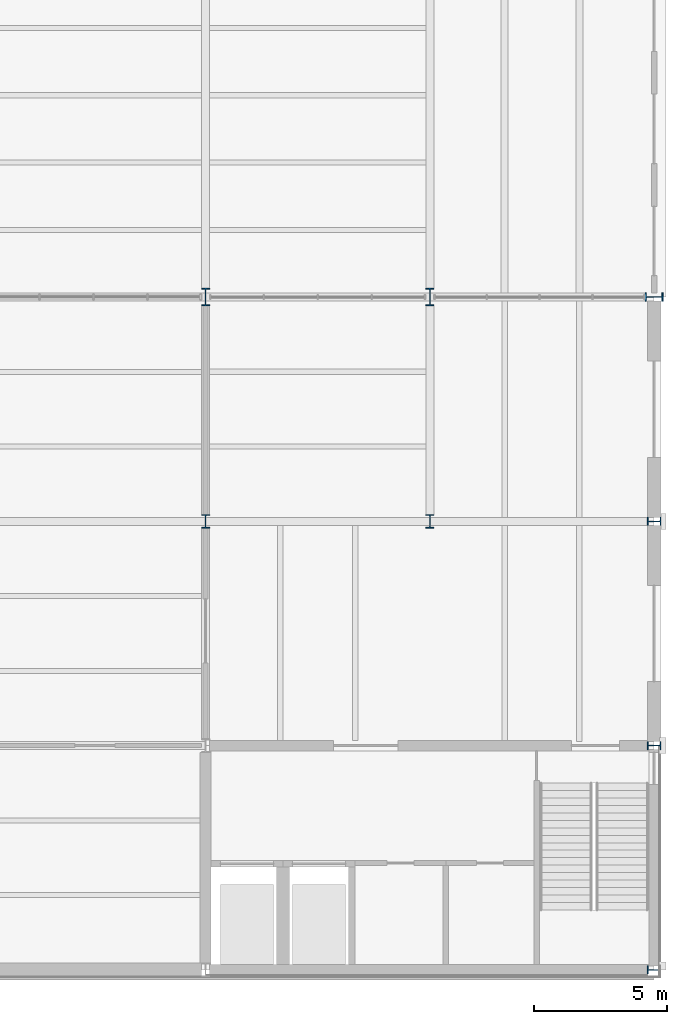
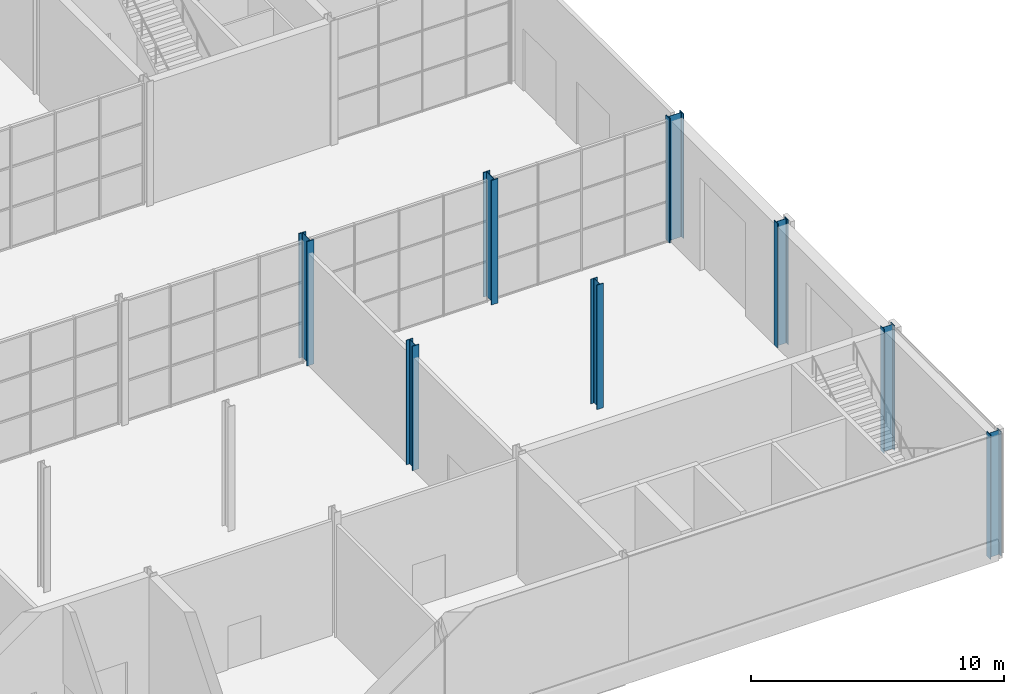
# One storey, part 6 of 55: 8 columns.
"""IFC4 building model written with IfcOpenShell, lengths in metres."""

from ifc_helpers import new_model, si_unit, direction, frame, origin, origin_2d, place, context, subcontext, project, spatial, i_section, extrude, material, material_profile, profile_set, type_object, element, save


model = new_model("IFC4")

# Units and contexts
model_context = context("Model", 3, precision=1e-05, world=origin(), true_north=direction((0.0, 1.0)))
body_context = subcontext(model_context, "Body", "Model", "MODEL_VIEW")
ifc_project = project(units=[si_unit("LENGTHUNIT", "METRE"), si_unit("AREAUNIT", "SQUARE_METRE"), si_unit("VOLUMEUNIT", "CUBIC_METRE"), si_unit("PLANEANGLEUNIT", "RADIAN"), si_unit("MASSUNIT", "GRAM", prefix="KILO")], contexts=[model_context])

# Site, building, storey
site_placement = place(None, origin())
site = spatial("IfcSite", under=ifc_project, at=site_placement, CompositionType="ELEMENT")
building_placement = place(site_placement, origin())
building = spatial("IfcBuilding", under=site, at=building_placement, Name="Galleria Vessillo Department Store", CompositionType="ELEMENT")
storey_placement = place(building_placement, origin())
storey = spatial("IfcBuildingStorey", under=building, at=storey_placement, Name="L00", CompositionType="ELEMENT", Elevation=0.0)

# Columns
ifc_material_1 = material(Name="Steel S355 J2", Category="steel")
ifc_material_profile_1 = material_profile(ifc_material_1, i_section(OverallWidth=0.300048828125, OverallDepth=0.5, WebThickness=0.014404296875, FlangeThickness=0.028076171875, FilletRadius=0.027099609375, at=origin_2d()), Name="HEB 500")
ifc_profile_set_1 = profile_set([ifc_material_profile_1], Name="Steel S355 J2")
column_type_1 = type_object("IfcColumnType", Name="Steel column HEB 500 CP1", PredefinedType="COLUMN", material=ifc_profile_set_1)
for number, where, z_axis, x_axis, name in (
    (1, (100.800048828125, 16.800048828125, 0.0), (0.0, 0.0, 1.0), (1.0, 0.0, 0.0), "S-COL-L00-13-C"),
    (2, (109.199951171875, 16.800048828125, 0.0), (0.0, 0.0, 1.0), (1.0, 0.0, 0.0), "S-COL-L00-14-C"),
    (3, (117.60009765625, 0.0, 0.0), (0.0, 0.0, 1.0), (0.0, 1.0, 0.0), "S-COL-L00-15-A"),
    (4, (117.60009765625, 8.39990234375, 0.0), (0.0, 0.0, 1.0), (0.0, 1.0, 0.0), "S-COL-L00-15-B"),
    (5, (117.60009765625, 16.800048828125, 0.0), (0.0, 0.0, 1.0), (0.0, 1.0, 0.0), "S-COL-L00-15-C"),
):
    element("IfcColumn", number, at=place(storey_placement, frame(where, z_axis=z_axis, x_axis=x_axis)), inside=storey, type_object=column_type_1, Name=name, PredefinedType="COLUMN", context=body_context, shape_type="SweptSolid", body=[
        extrude(i_section(OverallWidth=0.300048828125, OverallDepth=0.5, WebThickness=0.014404296875, FlangeThickness=0.028076171875, FilletRadius=0.027099609375, at=origin_2d()), origin(), (0.0, 0.0, 1.0), 6.0),
    ])
ifc_material_2 = material(Name="Steel S355 J2", Category="steel")
ifc_material_profile_2 = material_profile(ifc_material_2, i_section(OverallWidth=0.304931640625, OverallDepth=0.66796875, WebThickness=0.02099609375, FlangeThickness=0.0400390625, FilletRadius=0.027099609375, at=origin_2d()), Name="HEM 650")
ifc_profile_set_2 = profile_set([ifc_material_profile_2], Name="Steel S355 J2")
column_type_2 = type_object("IfcColumnType", Name="Steel column HEM 650 CV3", PredefinedType="COLUMN", material=ifc_profile_set_2)
for number, where, z_axis, x_axis, name in (
    (6, (100.800048828125, 25.199951171875, 0.0), (0.0, 0.0, 1.0), (1.0, 0.0, 0.0), "S-COL-L00-13-D"),
    (7, (109.199951171875, 25.199951171875, 0.0), (0.0, 0.0, 1.0), (1.0, 0.0, 0.0), "S-COL-L00-14-D"),
    (8, (117.60009765625, 25.199951171875, 0.0), (0.0, 0.0, 1.0), (0.0, 1.0, 0.0), "S-COL-L00-15-D"),
):
    element("IfcColumn", number, at=place(storey_placement, frame(where, z_axis=z_axis, x_axis=x_axis)), inside=storey, type_object=column_type_2, Name=name, PredefinedType="COLUMN", context=body_context, shape_type="SweptSolid", body=[
        extrude(i_section(OverallWidth=0.304931640625, OverallDepth=0.66796875, WebThickness=0.02099609375, FlangeThickness=0.0400390625, FilletRadius=0.027099609375, at=origin_2d()), origin(), (0.0, 0.0, 1.0), 6.0),
    ])

save(model, "model.ifc")
